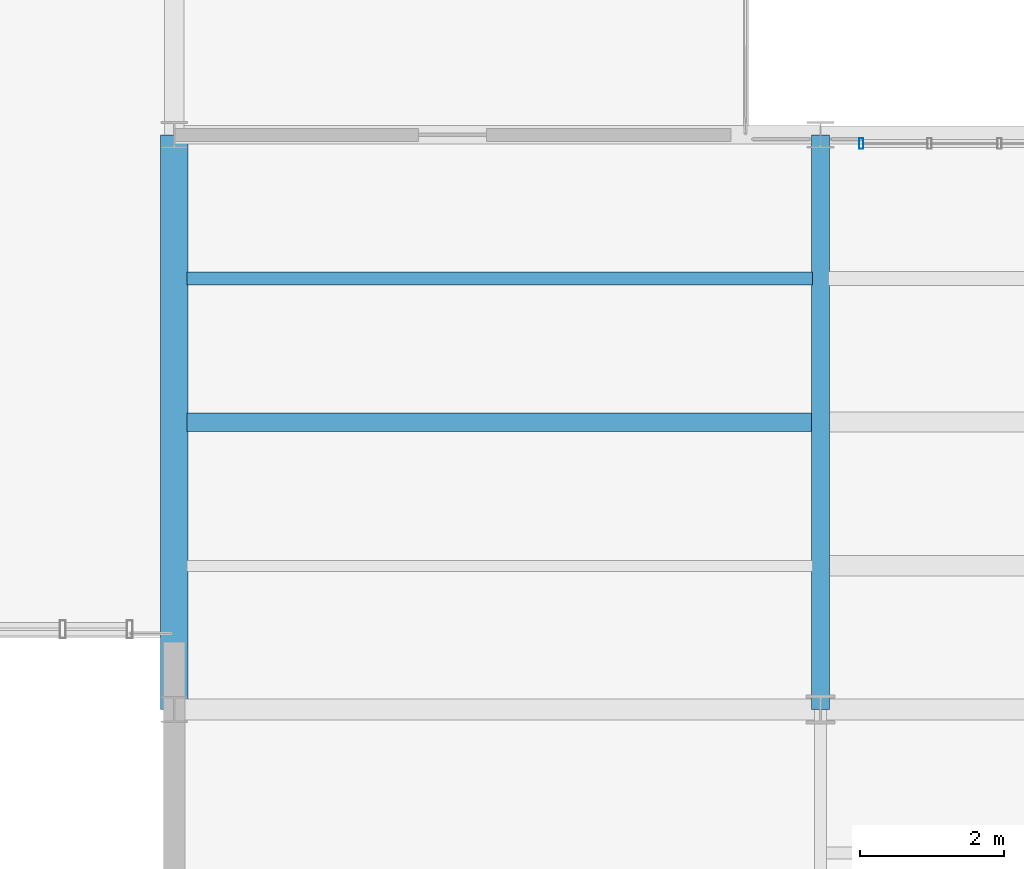
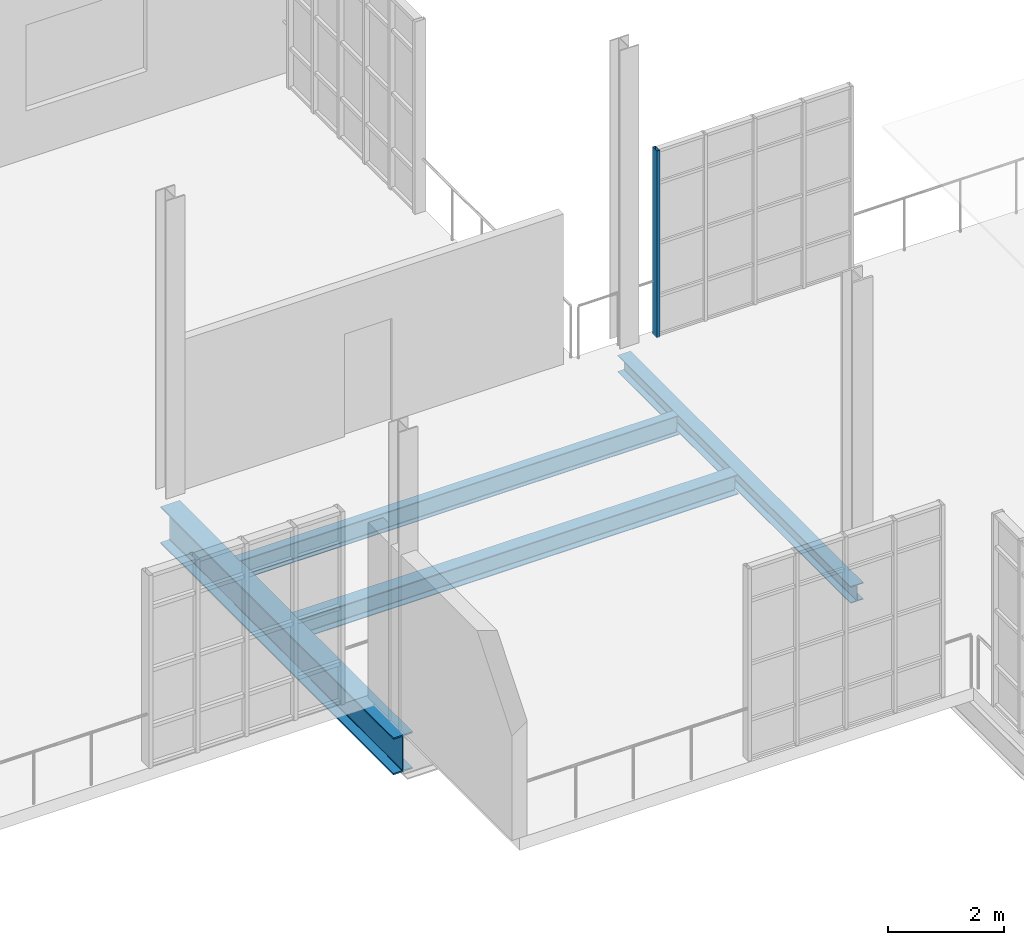
# One storey, part 51 of 118: 4 beams, 1 member, 1 element without a shape of its own.
"""IFC4 building model written with IfcOpenShell, lengths in metres."""

from ifc_helpers import new_model, si_unit, direction, frame, origin, origin_2d, place, context, subcontext, project, spatial, hollow_rectangle, i_section, extrude, material, layer, layer_set, material_profile, profile_set, type_object, element, aggregate, save


model = new_model("IFC4")

# Units and contexts
model_context = context("Model", 3, precision=1e-05, world=origin(), true_north=direction((0.0, 1.0)))
body_context = subcontext(model_context, "Body", "Model", "MODEL_VIEW")
ifc_project = project(units=[si_unit("LENGTHUNIT", "METRE"), si_unit("AREAUNIT", "SQUARE_METRE"), si_unit("VOLUMEUNIT", "CUBIC_METRE"), si_unit("PLANEANGLEUNIT", "RADIAN"), si_unit("MASSUNIT", "GRAM", prefix="KILO"), si_unit("THERMODYNAMICTEMPERATUREUNIT", "KELVIN"), si_unit("POWERUNIT", "WATT")], contexts=[model_context])

# Site, building, storey
site_placement = place(None, origin())
site = spatial("IfcSite", under=ifc_project, at=site_placement, CompositionType="ELEMENT")
building_placement = place(site_placement, origin())
building = spatial("IfcBuilding", under=site, at=building_placement, Name="Zelmaris Science Centre", CompositionType="ELEMENT")
storey_placement = place(building_placement, frame((0.0, 0.0, 15.60009765625)))
storey = spatial("IfcBuildingStorey", under=building, at=storey_placement, Name="L03", CompositionType="ELEMENT", Elevation=15.60009765625)

# Curtain wall, member
ifc_material_1 = material(Name="Anodised architectural aluminium 6063-T6", Category="aluminium")
ifc_layer = layer(ifc_material_1, 0.219970703125, Name="Anodised architectural aluminium 6063-T6")
ifc_layer_set = layer_set([ifc_layer], Name="Anodised architectural aluminium 6063-T6")
curtain_wall_type = type_object("IfcCurtainWallType", Name="Curtain Wall CW-04", PredefinedType="USERDEFINED", material=ifc_layer_set)
curtain_wall_placement = place(storey_placement, origin())
curtain_wall = element("IfcCurtainWall", 1, at=curtain_wall_placement, inside=storey, type_object=curtain_wall_type, Name="L03 Unitised curtain wall 292", ObjectType="GLAZED CURTAIN WALL", PredefinedType="USERDEFINED")
ifc_material_profile_1 = material_profile(ifc_material_1, hollow_rectangle(XDim=0.06005859375, YDim=0.14990234375, WallThickness=0.00341796875, at=origin_2d()), Name="ALU-MUL-60X150")
ifc_profile_set_1 = profile_set([ifc_material_profile_1], Name="Anodised architectural aluminium 6063-T6")
member_type = type_object("IfcMemberType", Name="ALU-MUL-60X150", PredefinedType="MULLION", material=ifc_profile_set_1)
member_placement = place(storey_placement, frame((117.56591796875, 55.8798828125, -0.01513671875), z_axis=(0.0, 0.0, 1.0), x_axis=(0.999999999994, -3.490659e-06, 0.0)))
member = element("IfcMember", 2, at=member_placement, type_object=member_type, Name="CW-04 mullion 1", PredefinedType="MULLION", context=body_context, shape_type="SweptSolid", body=[
    extrude(hollow_rectangle(XDim=0.06005859375, YDim=0.14990234375, WallThickness=0.00341796875, at=origin_2d()), origin(), (0.0, 0.0, 1.0), 3.91796875),
])
aggregate(curtain_wall, [member])

# Beams
ifc_material_2 = material(Name="Steel ASTM A992 Grade 50", Category="steel")
ifc_material_profile_2 = material_profile(ifc_material_2, i_section(OverallWidth=0.381103515625, OverallDepth=0.777099609375, WebThickness=0.01806640625, FlangeThickness=0.030029296875, FilletRadius=0.01904296875, at=origin_2d()), Name="W30X191")
ifc_profile_set_2 = profile_set([ifc_material_profile_2], Name="Steel ASTM A992 Grade 50")
beam_type_1 = type_object("IfcBeamType", Name="Beam G-31 W30X191", PredefinedType="BEAM", material=ifc_profile_set_2)
beam_1_placement = place(storey_placement, frame((108.0, 48.0, -0.648681640625), z_axis=(0.0, 1.0, 0.0), x_axis=(-1.0, 0.0, 0.0)))
element("IfcBeam", 3, at=beam_1_placement, inside=storey, type_object=beam_type_1, Name="L03 North-south girder 702", PredefinedType="BEAM", context=body_context, shape_type="SweptSolid", body=[
    extrude(i_section(OverallWidth=0.381103515625, OverallDepth=0.777099609375, WebThickness=0.01806640625, FlangeThickness=0.030029296875, FilletRadius=0.01904296875, at=origin_2d()), origin(), (0.0, 0.0, 1.0), 8.0),
])
ifc_material_profile_3 = material_profile(ifc_material_2, i_section(OverallWidth=0.25390625, OverallDepth=0.35595703125, WebThickness=0.010498046875, FlangeThickness=0.018310546875, FilletRadius=0.014892578125, at=origin_2d()), Name="W14X68")
ifc_profile_set_3 = profile_set([ifc_material_profile_3], Name="Steel ASTM A992 Grade 50")
beam_type_2 = type_object("IfcBeamType", Name="Beam G-41 W14X68", PredefinedType="BEAM", material=ifc_profile_set_3)
beam_2_placement = place(storey_placement, frame((117.0, 48.0, -0.43798828125), z_axis=(0.0, 1.0, 0.0), x_axis=(-1.0, 0.0, 0.0)))
element("IfcBeam", 4, at=beam_2_placement, inside=storey, type_object=beam_type_2, Name="L03 North-south girder 712", PredefinedType="BEAM", context=body_context, shape_type="SweptSolid", body=[
    extrude(i_section(OverallWidth=0.25390625, OverallDepth=0.35595703125, WebThickness=0.010498046875, FlangeThickness=0.018310546875, FilletRadius=0.014892578125, at=origin_2d()), origin(), (0.0, 0.0, 1.0), 8.0),
])
ifc_material_profile_4 = material_profile(ifc_material_2, i_section(OverallWidth=0.260009765625, OverallDepth=0.4140625, WebThickness=0.010009765625, FlangeThickness=0.016845703125, FilletRadius=0.011962890625, at=origin_2d()), Name="W16X67")
ifc_profile_set_4 = profile_set([ifc_material_profile_4], Name="Steel ASTM A992 Grade 50")
beam_type_3 = type_object("IfcBeamType", Name="Beam J-06 W16X67", PredefinedType="JOIST", material=ifc_profile_set_4)
beam_3_placement = place(storey_placement, frame((108.175537109375, 52.0, -0.467041015625), z_axis=(1.0, 0.0, 0.0), x_axis=(0.0, 1.0, 0.0)))
element("IfcBeam", 5, at=beam_3_placement, inside=storey, type_object=beam_type_3, Name="L03 Composite floor joist 347", PredefinedType="JOIST", context=body_context, shape_type="SweptSolid", body=[
    extrude(i_section(OverallWidth=0.260009765625, OverallDepth=0.4140625, WebThickness=0.010009765625, FlangeThickness=0.016845703125, FilletRadius=0.011962890625, at=origin_2d()), origin(), (0.0, 0.0, 1.0), 8.71240234375),
])
ifc_material_profile_5 = material_profile(ifc_material_2, i_section(OverallWidth=0.177978515625, OverallDepth=0.408935546875, WebThickness=0.0087890625, FlangeThickness=0.014404296875, FilletRadius=0.011962890625, at=origin_2d()), Name="W16X45")
ifc_profile_set_5 = profile_set([ifc_material_profile_5], Name="Steel ASTM A992 Grade 50")
beam_type_4 = type_object("IfcBeamType", Name="Beam J-07 W16X45", PredefinedType="JOIST", material=ifc_profile_set_5)
beam_4_placement = place(storey_placement, frame((108.175537109375, 54.0, -0.464599609375), z_axis=(1.0, 0.0, 0.0), x_axis=(0.0, 1.0, 0.0)))
element("IfcBeam", 6, at=beam_4_placement, inside=storey, type_object=beam_type_4, Name="L03 Composite floor joist 348", PredefinedType="JOIST", context=body_context, shape_type="SweptSolid", body=[
    extrude(i_section(OverallWidth=0.177978515625, OverallDepth=0.408935546875, WebThickness=0.0087890625, FlangeThickness=0.014404296875, FilletRadius=0.011962890625, at=origin_2d()), origin(), (0.0, 0.0, 1.0), 8.71240234375),
])

save(model, "model.ifc")
